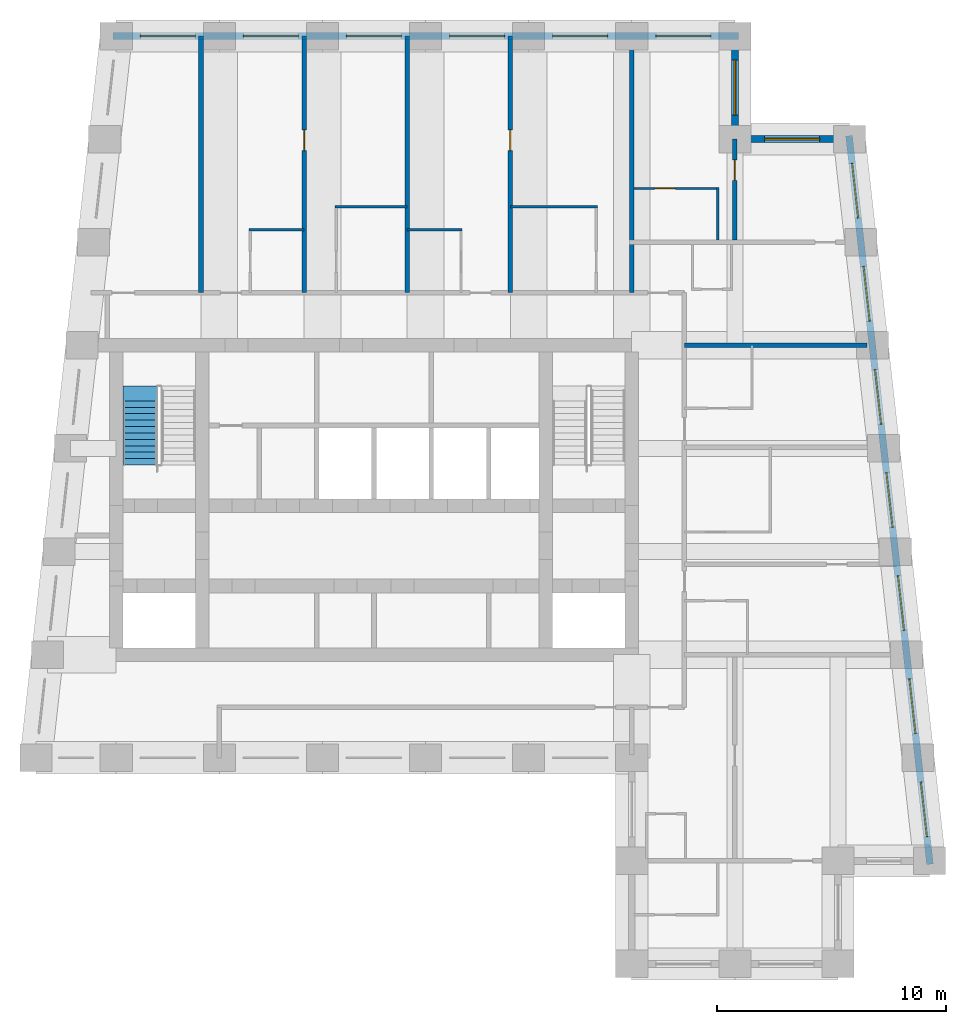
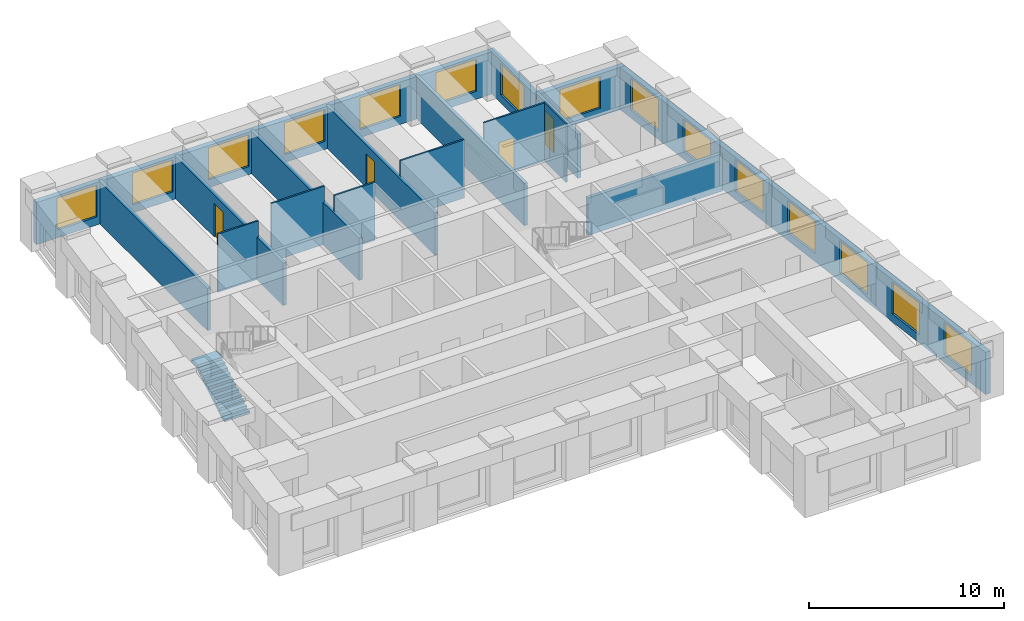
# One storey, part 5 of 7: 17 walls, 15 windows, 4 doors, 1 stair flight, 19 openings, 1 element without a shape of its own.
"""IFC4 building model written with IfcOpenShell, lengths in metres."""

from ifc_helpers import new_model, si_unit, direction, frame, frame_2d, origin, place, context, subcontext, project, spatial, polyline, rectangle, outline, extrude, material, layer, layer_set, type_object, element, fill, aggregate, save


model = new_model("IFC4")

# Units and contexts
model_context = context("Model", 3, precision=1e-05, world=origin(), true_north=direction((0.0, 1.0)))
body_context = subcontext(model_context, "Body", "Model", "MODEL_VIEW")
ifc_project = project(units=[si_unit("LENGTHUNIT", "METRE"), si_unit("AREAUNIT", "SQUARE_METRE"), si_unit("VOLUMEUNIT", "CUBIC_METRE"), si_unit("PLANEANGLEUNIT", "RADIAN"), si_unit("MASSUNIT", "GRAM", prefix="KILO")], contexts=[model_context])

# Site, building, storey
site_placement = place(None, origin())
site = spatial("IfcSite", under=ifc_project, at=site_placement, CompositionType="ELEMENT")
building_placement = place(site_placement, origin())
building = spatial("IfcBuilding", under=site, at=building_placement, Name="Kilele Tower Hotel", CompositionType="ELEMENT")
storey_placement = place(building_placement, frame((0.0, 0.0, 266.300048828125)))
storey = spatial("IfcBuildingStorey", under=building, at=storey_placement, Name="L68", CompositionType="ELEMENT", Elevation=266.300048828125)

# Walls
ifc_material_1 = material(Name="Moisture-resistant board")
ifc_layer_1 = layer(ifc_material_1, 0.10009765625)
ifc_layer_set_1 = layer_set([ifc_layer_1], Name="Moisture-resistant board")
wall_type_1 = type_object("IfcWallType", Name="Bathroom partition 100", PredefinedType="PLUMBINGWALL", material=ifc_layer_set_1)
wall_1_placement = place(storey_placement, frame((19.300048828125, 32.050048828125, 0.0), z_axis=(0.0, 0.0, 1.0), x_axis=(1.0, 0.0, 0.0)))
element("IfcWall", 1, at=wall_1_placement, inside=storey, type_object=wall_type_1, Name="Bathroom partition 100 L68", PredefinedType="PLUMBINGWALL", context=body_context, shape_type="SweptSolid", body=[
    extrude(rectangle(XDim=2.39990234375, YDim=0.10009765625, at=frame_2d((1.199951171875, 0.0))), origin(), (0.0, 0.0, 1.0), 3.64990234375),
])
wall_2_placement = place(storey_placement, frame((23.050048828125, 33.050048828125, 0.0), z_axis=(0.0, 0.0, 1.0), x_axis=(1.0, 0.0, 0.0)))
element("IfcWall", 2, at=wall_2_placement, inside=storey, type_object=wall_type_1, Name="Bathroom partition 100 L68", PredefinedType="PLUMBINGWALL", context=body_context, shape_type="SweptSolid", body=[
    extrude(rectangle(XDim=3.14990234375, YDim=0.10009765625, at=frame_2d((1.574951171875, 0.0))), origin(), (0.0, 0.0, 1.0), 3.64990234375),
])
wall_3_placement = place(storey_placement, frame((26.199951171875, 32.050048828125, 0.0), z_axis=(0.0, 0.0, 1.0), x_axis=(1.0, 0.0, 0.0)))
element("IfcWall", 3, at=wall_3_placement, inside=storey, type_object=wall_type_1, Name="Bathroom partition 100 L68", PredefinedType="PLUMBINGWALL", context=body_context, shape_type="SweptSolid", body=[
    extrude(rectangle(XDim=2.400146484375, YDim=0.10009765625, at=frame_2d((1.2001953125, 0.0))), origin(), (0.0, 0.0, 1.0), 3.64990234375),
])
wall_4_placement = place(storey_placement, frame((30.699951171875, 33.050048828125, 0.0), z_axis=(0.0, 0.0, 1.0), x_axis=(1.0, 0.0, 0.0)))
element("IfcWall", 4, at=wall_4_placement, inside=storey, type_object=wall_type_1, Name="Bathroom partition 100 L68", PredefinedType="PLUMBINGWALL", context=body_context, shape_type="SweptSolid", body=[
    extrude(rectangle(XDim=3.800048828125, YDim=0.10009765625, at=frame_2d((1.89990234375, 0.0))), origin(), (0.0, 0.0, 1.0), 3.64990234375),
])
wall_5_placement = place(storey_placement, frame((39.75, 31.60009765625, 0.0), z_axis=(0.0, 0.0, 1.0), x_axis=(0.0, 1.0, 0.0)))
element("IfcWall", 5, at=wall_5_placement, inside=storey, type_object=wall_type_1, Name="Bathroom partition 100 L68", PredefinedType="PLUMBINGWALL", context=body_context, shape_type="SweptSolid", body=[
    extrude(rectangle(XDim=2.2998046875, YDim=0.10009765625, at=frame_2d((1.14990234375, 0.0))), origin(), (0.0, 0.0, 1.0), 3.64990234375),
])

# Wall, opening, door
wall_6_placement = place(storey_placement, frame((36.10009765625, 33.85009765625, 0.0), z_axis=(0.0, 0.0, 1.0), x_axis=(1.0, 0.0, 0.0)))
wall_6 = element("IfcWall", 6, at=wall_6_placement, inside=storey, type_object=wall_type_1, Name="Bathroom partition 100 L68", PredefinedType="PLUMBINGWALL", context=body_context, shape_type="SweptSolid", body=[
    extrude(rectangle(XDim=3.699951171875, YDim=0.10009765625, at=frame_2d((1.85009765625, 0.0))), origin(), (0.0, 0.0, 1.0), 3.64990234375),
])
opening_1_placement = place(wall_6_placement, frame((0.89990234375, 0.0, 0.0)))
opening_1 = element("IfcOpeningElement", 7, at=opening_1_placement, cuts=wall_6, Name="Opening D2A", PredefinedType="OPENING", context=body_context, shape_type="SweptSolid", body=[
    extrude(rectangle(XDim=0.89990234375, YDim=2.10009765625, at=frame_2d((0.449951171875, 1.050048828125))), frame((0.0, 0.06005859375, 0.0), z_axis=(0.0, -1.0, 0.0), x_axis=(1.0, 0.0, 0.0)), (0.0, 0.0, 1.0), 0.1201171875),
])
ifc_material_2 = material(Name="Timber door leaf in hardwood frame", Category="wood")
door_type_1 = type_object("IfcDoorType", Name="Bathroom door 900", OperationType="SINGLE_SWING_LEFT", PredefinedType="DOOR", material=ifc_material_2)
door_1_placement = place(opening_1_placement, origin())
door_1 = element("IfcDoor", 8, at=door_1_placement, inside=storey, type_object=door_type_1, Name="Bathroom door 6815B", OperationType="SINGLE_SWING_LEFT", OverallHeight=2.10009765625, OverallWidth=0.89990234375, PredefinedType="DOOR", context=body_context, shape_type="SweptSolid", body=[
    extrude(rectangle(XDim=0.89990234375, YDim=2.10009765625, at=frame_2d((0.449951171875, 1.050048828125))), frame((0.0, 0.02490234375, 0.0), z_axis=(0.0, -1.0, 0.0), x_axis=(1.0, 0.0, 0.0)), (0.0, 0.0, 1.0), 0.050048828125),
])
fill(opening_1, door_1)

ifc_material_3 = material(Name="Blockwork, plastered both sides", Category="masonry")
ifc_layer_2 = layer(ifc_material_3, 0.199951171875)
ifc_layer_set_2 = layer_set([ifc_layer_2], Name="Blockwork, plastered both sides")
wall_type_2 = type_object("IfcWallType", Name="Partition wall 200", PredefinedType="PARTITIONING", material=ifc_layer_set_2)
wall_7_placement = place(storey_placement, frame((40.5, 31.60009765625, 0.0), z_axis=(0.0, 0.0, 1.0), x_axis=(0.0, 1.0, 0.0)))
wall_7 = element("IfcWall", 9, at=wall_7_placement, inside=storey, type_object=wall_type_2, Name="Partition wall 200 L68", PredefinedType="PARTITIONING", context=body_context, shape_type="SweptSolid", body=[
    extrude(rectangle(XDim=4.39990234375, YDim=0.199951171875, at=frame_2d((2.199951171875, 0.0))), origin(), (0.0, 0.0, 1.0), 2.75),
])
opening_2_placement = place(wall_7_placement, frame((2.60009765625, 0.0, 0.0)))
opening_2 = element("IfcOpeningElement", 10, at=opening_2_placement, cuts=wall_7, Name="Opening D3", PredefinedType="OPENING", context=body_context, shape_type="SweptSolid", body=[
    extrude(rectangle(XDim=0.89990234375, YDim=2.10009765625, at=frame_2d((0.449951171875, 1.050048828125))), frame((0.0, 0.10986328125, 0.0), z_axis=(0.0, -1.0, 0.0), x_axis=(1.0, 0.0, 0.0)), (0.0, 0.0, 1.0), 0.219970703125),
])
ifc_material_4 = material(Name="Timber door leaf in hardwood frame", Category="wood")
door_type_2 = type_object("IfcDoorType", Name="Suite internal door 900", OperationType="SINGLE_SWING_LEFT", PredefinedType="DOOR", material=ifc_material_4)
door_2_placement = place(opening_2_placement, origin())
door_2 = element("IfcDoor", 11, at=door_2_placement, inside=storey, type_object=door_type_2, Name="Suite door 6816", OperationType="SINGLE_SWING_LEFT", OverallHeight=2.10009765625, OverallWidth=0.89990234375, PredefinedType="DOOR", context=body_context, shape_type="SweptSolid", body=[
    extrude(rectangle(XDim=0.89990234375, YDim=2.10009765625, at=frame_2d((0.449951171875, 1.050048828125))), frame((0.0, 0.02490234375, 0.0), z_axis=(0.0, -1.0, 0.0), x_axis=(1.0, 0.0, 0.0)), (0.0, 0.0, 1.0), 0.050048828125),
])
fill(opening_2, door_2)

# Wall
ifc_material_5 = material(Name="Blockwork, plastered both sides", Category="masonry")
ifc_layer_3 = layer(ifc_material_5, 0.199951171875)
ifc_layer_set_3 = layer_set([ifc_layer_3], Name="Blockwork, plastered both sides")
wall_type_3 = type_object("IfcWallType", Name="Party wall 200", PredefinedType="PARTITIONING", material=ifc_layer_set_3)
wall_8_placement = place(storey_placement, frame((17.199951171875, 29.300048828125, 0.0), z_axis=(0.0, 0.0, 1.0), x_axis=(0.0, 1.0, 0.0)))
element("IfcWall", 12, at=wall_8_placement, inside=storey, type_object=wall_type_3, Name="Party wall 200 L68", PredefinedType="PARTITIONING", context=body_context, shape_type="SweptSolid", body=[
    extrude(rectangle(XDim=11.199951171875, YDim=0.199951171875, at=frame_2d((5.60009765625, 0.0))), origin(), (0.0, 0.0, 1.0), 2.64990234375),
])

# Wall, opening, door
wall_9_placement = place(storey_placement, frame((21.699951171875, 29.300048828125, 0.0), z_axis=(0.0, 0.0, 1.0), x_axis=(0.0, 1.0, 0.0)))
wall_9 = element("IfcWall", 13, at=wall_9_placement, inside=storey, type_object=wall_type_3, Name="Party wall 200 L68", PredefinedType="PARTITIONING", context=body_context, shape_type="SweptSolid", body=[
    extrude(rectangle(XDim=11.199951171875, YDim=0.199951171875, at=frame_2d((5.60009765625, 0.0))), origin(), (0.0, 0.0, 1.0), 2.64990234375),
])
opening_3_placement = place(wall_9_placement, frame((6.199951171875, 0.0, 0.0)))
opening_3 = element("IfcOpeningElement", 14, at=opening_3_placement, cuts=wall_9, Name="Opening D3", PredefinedType="OPENING", context=body_context, shape_type="SweptSolid", body=[
    extrude(rectangle(XDim=0.89990234375, YDim=2.10009765625, at=frame_2d((0.449951171875, 1.050048828125))), frame((0.0, 0.10986328125, 0.0), z_axis=(0.0, -1.0, 0.0), x_axis=(1.0, 0.0, 0.0)), (0.0, 0.0, 1.0), 0.219970703125),
])
door_3_placement = place(opening_3_placement, origin())
door_3 = element("IfcDoor", 15, at=door_3_placement, inside=storey, type_object=door_type_2, Name="Suite door 6808", OperationType="SINGLE_SWING_RIGHT", OverallHeight=2.10009765625, OverallWidth=0.89990234375, PredefinedType="DOOR", context=body_context, shape_type="SweptSolid", body=[
    extrude(rectangle(XDim=0.89990234375, YDim=2.10009765625, at=frame_2d((0.449951171875, 1.050048828125))), frame((0.0, 0.02490234375, 0.0), z_axis=(0.0, -1.0, 0.0), x_axis=(1.0, 0.0, 0.0)), (0.0, 0.0, 1.0), 0.050048828125),
])
fill(opening_3, door_3)

# Wall
wall_10_placement = place(storey_placement, frame((26.199951171875, 29.300048828125, 0.0), z_axis=(0.0, 0.0, 1.0), x_axis=(0.0, 1.0, 0.0)))
element("IfcWall", 16, at=wall_10_placement, inside=storey, type_object=wall_type_3, Name="Party wall 200 L68", PredefinedType="PARTITIONING", context=body_context, shape_type="SweptSolid", body=[
    extrude(rectangle(XDim=11.199951171875, YDim=0.199951171875, at=frame_2d((5.60009765625, 0.0))), origin(), (0.0, 0.0, 1.0), 2.64990234375),
])

# Wall, opening, door
wall_11_placement = place(storey_placement, frame((30.699951171875, 29.300048828125, 0.0), z_axis=(0.0, 0.0, 1.0), x_axis=(0.0, 1.0, 0.0)))
wall_11 = element("IfcWall", 17, at=wall_11_placement, inside=storey, type_object=wall_type_3, Name="Party wall 200 L68", PredefinedType="PARTITIONING", context=body_context, shape_type="SweptSolid", body=[
    extrude(rectangle(XDim=11.199951171875, YDim=0.199951171875, at=frame_2d((5.60009765625, 0.0))), origin(), (0.0, 0.0, 1.0), 2.64990234375),
])
opening_4_placement = place(wall_11_placement, frame((6.199951171875, 0.0, 0.0)))
opening_4 = element("IfcOpeningElement", 18, at=opening_4_placement, cuts=wall_11, Name="Opening D3", PredefinedType="OPENING", context=body_context, shape_type="SweptSolid", body=[
    extrude(rectangle(XDim=0.89990234375, YDim=2.10009765625, at=frame_2d((0.449951171875, 1.050048828125))), frame((0.0, 0.10986328125, 0.0), z_axis=(0.0, -1.0, 0.0), x_axis=(1.0, 0.0, 0.0)), (0.0, 0.0, 1.0), 0.219970703125),
])
door_4_placement = place(opening_4_placement, origin())
door_4 = element("IfcDoor", 19, at=door_4_placement, inside=storey, type_object=door_type_2, Name="Suite door 6810", OperationType="SINGLE_SWING_RIGHT", OverallHeight=2.10009765625, OverallWidth=0.89990234375, PredefinedType="DOOR", context=body_context, shape_type="SweptSolid", body=[
    extrude(rectangle(XDim=0.89990234375, YDim=2.10009765625, at=frame_2d((0.449951171875, 1.050048828125))), frame((0.0, 0.02490234375, 0.0), z_axis=(0.0, -1.0, 0.0), x_axis=(1.0, 0.0, 0.0)), (0.0, 0.0, 1.0), 0.050048828125),
])
fill(opening_4, door_4)

# Walls
wall_12_placement = place(storey_placement, frame((38.300048828125, 27.0, 0.0), z_axis=(0.0, 0.0, 1.0), x_axis=(1.0, 0.0, 0.0)))
element("IfcWall", 20, at=wall_12_placement, inside=storey, type_object=wall_type_3, Name="Party wall 200 L68", PredefinedType="PARTITIONING", context=body_context, shape_type="SweptSolid", body=[
    extrude(rectangle(XDim=7.976806640625, YDim=0.199951171875, at=frame_2d((3.98828125, 0.0))), origin(), (0.0, 0.0, 1.0), 2.349853515625),
])
wall_13_placement = place(storey_placement, frame((36.0, 29.300048828125, 0.0), z_axis=(0.0, 0.0, 1.0), x_axis=(0.0, 1.0, 0.0)))
element("IfcWall", 21, at=wall_13_placement, inside=storey, type_object=wall_type_3, Name="Party wall 200 L68", PredefinedType="PARTITIONING", context=body_context, shape_type="SweptSolid", body=[
    extrude(rectangle(XDim=11.199951171875, YDim=0.199951171875, at=frame_2d((5.60009765625, 0.0))), origin(), (0.0, 0.0, 1.0), 2.64990234375),
])

# Wall, openings, windows
ifc_material_6 = material(Name="Concrete C40/50 precast", Category="concrete")
ifc_layer_4 = layer(ifc_material_6, 0.260009765625, Name="Precast backing", Category="LoadBearing")
ifc_material_7 = material(Name="Reconstituted stone finish", Category="masonry")
ifc_layer_5 = layer(ifc_material_7, 0.0400390625, Name="Face mix", Category="Finish")
ifc_layer_set_4 = layer_set([ifc_layer_4, ifc_layer_5], Name="Precast concrete C40/50, reconstituted stone finish")
wall_type_4 = type_object("IfcWallType", Name="Precast stone facade wall 300", PredefinedType="STANDARD", material=ifc_layer_set_4)
wall_14_placement = place(storey_placement, frame((49.0166015625, 4.350830078125, 0.0), z_axis=(0.0, 0.0, 1.0), x_axis=(-0.110433201132, 0.993883548555, 0.0)))
wall_14 = element("IfcWall", 22, at=wall_14_placement, inside=storey, type_object=wall_type_4, Name="Facade wall L68 edge 6", PredefinedType="STANDARD", context=body_context, shape_type="SweptSolid", body=[
    extrude(rectangle(XDim=31.994140625, YDim=0.300048828125, at=frame_2d((15.9970703125, 0.0))), origin(), (0.0, 0.0, 1.0), 2.64990234375),
])
opening_5_placement = place(wall_14_placement, frame((1.214111328125, 0.0, 0.5)))
opening_5 = element("IfcOpeningElement", 23, at=opening_5_placement, cuts=wall_14, Name="Opening W4", PredefinedType="OPENING", context=body_context, shape_type="SweptSolid", body=[
    extrude(rectangle(XDim=2.39990234375, YDim=2.0, at=frame_2d((1.199951171875, 1.0))), frame((0.0, 0.159912109375, 0.0), z_axis=(0.0, -1.0, 0.0), x_axis=(1.0, 0.0, 0.0)), (0.0, 0.0, 1.0), 0.320068359375),
])
opening_6_placement = place(wall_14_placement, frame((5.741943359375, 0.0, 0.5)))
opening_6 = element("IfcOpeningElement", 24, at=opening_6_placement, cuts=wall_14, Name="Opening W4", PredefinedType="OPENING", context=body_context, shape_type="SweptSolid", body=[
    extrude(rectangle(XDim=2.39990234375, YDim=2.0, at=frame_2d((1.199951171875, 1.0))), frame((0.0, 0.159912109375, 0.0), z_axis=(0.0, -1.0, 0.0), x_axis=(1.0, 0.0, 0.0)), (0.0, 0.0, 1.0), 0.320068359375),
])
opening_7_placement = place(wall_14_placement, frame((10.26904296875, 0.0, 0.5)))
opening_7 = element("IfcOpeningElement", 25, at=opening_7_placement, cuts=wall_14, Name="Opening W4", PredefinedType="OPENING", context=body_context, shape_type="SweptSolid", body=[
    extrude(rectangle(XDim=2.39990234375, YDim=2.0, at=frame_2d((1.199951171875, 1.0))), frame((0.0, 0.159912109375, 0.0), z_axis=(0.0, -1.0, 0.0), x_axis=(1.0, 0.0, 0.0)), (0.0, 0.0, 1.0), 0.320068359375),
])
opening_8_placement = place(wall_14_placement, frame((14.797119140625, 0.0, 0.5)))
opening_8 = element("IfcOpeningElement", 26, at=opening_8_placement, cuts=wall_14, Name="Opening W4", PredefinedType="OPENING", context=body_context, shape_type="SweptSolid", body=[
    extrude(rectangle(XDim=2.39990234375, YDim=2.0, at=frame_2d((1.199951171875, 1.0))), frame((0.0, 0.159912109375, 0.0), z_axis=(0.0, -1.0, 0.0), x_axis=(1.0, 0.0, 0.0)), (0.0, 0.0, 1.0), 0.320068359375),
])
opening_9_placement = place(wall_14_placement, frame((19.324951171875, 0.0, 0.5)))
opening_9 = element("IfcOpeningElement", 27, at=opening_9_placement, cuts=wall_14, Name="Opening W4", PredefinedType="OPENING", context=body_context, shape_type="SweptSolid", body=[
    extrude(rectangle(XDim=2.39990234375, YDim=2.0, at=frame_2d((1.199951171875, 1.0))), frame((0.0, 0.159912109375, 0.0), z_axis=(0.0, -1.0, 0.0), x_axis=(1.0, 0.0, 0.0)), (0.0, 0.0, 1.0), 0.320068359375),
])
opening_10_placement = place(wall_14_placement, frame((23.85205078125, 0.0, 0.5)))
opening_10 = element("IfcOpeningElement", 28, at=opening_10_placement, cuts=wall_14, Name="Opening W4", PredefinedType="OPENING", context=body_context, shape_type="SweptSolid", body=[
    extrude(rectangle(XDim=2.39990234375, YDim=2.0, at=frame_2d((1.199951171875, 1.0))), frame((0.0, 0.159912109375, 0.0), z_axis=(0.0, -1.0, 0.0), x_axis=(1.0, 0.0, 0.0)), (0.0, 0.0, 1.0), 0.320068359375),
])
opening_11_placement = place(wall_14_placement, frame((28.3798828125, 0.0, 0.5)))
opening_11 = element("IfcOpeningElement", 29, at=opening_11_placement, cuts=wall_14, Name="Opening W4", PredefinedType="OPENING", context=body_context, shape_type="SweptSolid", body=[
    extrude(rectangle(XDim=2.39990234375, YDim=2.0, at=frame_2d((1.199951171875, 1.0))), frame((0.0, 0.159912109375, 0.0), z_axis=(0.0, -1.0, 0.0), x_axis=(1.0, 0.0, 0.0)), (0.0, 0.0, 1.0), 0.320068359375),
])
ifc_material_8 = material(Name="Aluminium frame, clear double glazing", Category="aluminium")
window_type = type_object("IfcWindowType", Name="Window W4 2400 x 2000", PartitioningType="SINGLE_PANEL", PredefinedType="WINDOW", material=ifc_material_8)
window_1_placement = place(opening_5_placement, origin())
window_1 = element("IfcWindow", 30, at=window_1_placement, inside=storey, type_object=window_type, Name="Window L68", OverallHeight=2.0, OverallWidth=2.39990234375, PartitioningType="SINGLE_PANEL", PredefinedType="WINDOW", context=body_context, shape_type="SweptSolid", body=[
    extrude(rectangle(XDim=2.39990234375, YDim=2.0, at=frame_2d((1.199951171875, 1.0))), frame((0.0, 0.030029296875, 0.0), z_axis=(0.0, -1.0, 0.0), x_axis=(1.0, 0.0, 0.0)), (0.0, 0.0, 1.0), 0.06005859375),
])
fill(opening_5, window_1)
window_2_placement = place(opening_6_placement, origin())
window_2 = element("IfcWindow", 31, at=window_2_placement, inside=storey, type_object=window_type, Name="Window L68", OverallHeight=2.0, OverallWidth=2.39990234375, PartitioningType="SINGLE_PANEL", PredefinedType="WINDOW", context=body_context, shape_type="SweptSolid", body=[
    extrude(rectangle(XDim=2.39990234375, YDim=2.0, at=frame_2d((1.199951171875, 1.0))), frame((0.0, 0.030029296875, 0.0), z_axis=(0.0, -1.0, 0.0), x_axis=(1.0, 0.0, 0.0)), (0.0, 0.0, 1.0), 0.06005859375),
])
fill(opening_6, window_2)
window_3_placement = place(opening_7_placement, origin())
window_3 = element("IfcWindow", 32, at=window_3_placement, inside=storey, type_object=window_type, Name="Window L68", OverallHeight=2.0, OverallWidth=2.39990234375, PartitioningType="SINGLE_PANEL", PredefinedType="WINDOW", context=body_context, shape_type="SweptSolid", body=[
    extrude(rectangle(XDim=2.39990234375, YDim=2.0, at=frame_2d((1.199951171875, 1.0))), frame((0.0, 0.030029296875, 0.0), z_axis=(0.0, -1.0, 0.0), x_axis=(1.0, 0.0, 0.0)), (0.0, 0.0, 1.0), 0.06005859375),
])
fill(opening_7, window_3)
window_4_placement = place(opening_8_placement, origin())
window_4 = element("IfcWindow", 33, at=window_4_placement, inside=storey, type_object=window_type, Name="Window L68", OverallHeight=2.0, OverallWidth=2.39990234375, PartitioningType="SINGLE_PANEL", PredefinedType="WINDOW", context=body_context, shape_type="SweptSolid", body=[
    extrude(rectangle(XDim=2.39990234375, YDim=2.0, at=frame_2d((1.199951171875, 1.0))), frame((0.0, 0.030029296875, 0.0), z_axis=(0.0, -1.0, 0.0), x_axis=(1.0, 0.0, 0.0)), (0.0, 0.0, 1.0), 0.06005859375),
])
fill(opening_8, window_4)
window_5_placement = place(opening_9_placement, origin())
window_5 = element("IfcWindow", 34, at=window_5_placement, inside=storey, type_object=window_type, Name="Window L68", OverallHeight=2.0, OverallWidth=2.39990234375, PartitioningType="SINGLE_PANEL", PredefinedType="WINDOW", context=body_context, shape_type="SweptSolid", body=[
    extrude(rectangle(XDim=2.39990234375, YDim=2.0, at=frame_2d((1.199951171875, 1.0))), frame((0.0, 0.030029296875, 0.0), z_axis=(0.0, -1.0, 0.0), x_axis=(1.0, 0.0, 0.0)), (0.0, 0.0, 1.0), 0.06005859375),
])
fill(opening_9, window_5)
window_6_placement = place(opening_10_placement, origin())
window_6 = element("IfcWindow", 35, at=window_6_placement, inside=storey, type_object=window_type, Name="Window L68", OverallHeight=2.0, OverallWidth=2.39990234375, PartitioningType="SINGLE_PANEL", PredefinedType="WINDOW", context=body_context, shape_type="SweptSolid", body=[
    extrude(rectangle(XDim=2.39990234375, YDim=2.0, at=frame_2d((1.199951171875, 1.0))), frame((0.0, 0.030029296875, 0.0), z_axis=(0.0, -1.0, 0.0), x_axis=(1.0, 0.0, 0.0)), (0.0, 0.0, 1.0), 0.06005859375),
])
fill(opening_10, window_6)
window_7_placement = place(opening_11_placement, origin())
window_7 = element("IfcWindow", 36, at=window_7_placement, inside=storey, type_object=window_type, Name="Window L68", OverallHeight=2.0, OverallWidth=2.39990234375, PartitioningType="SINGLE_PANEL", PredefinedType="WINDOW", context=body_context, shape_type="SweptSolid", body=[
    extrude(rectangle(XDim=2.39990234375, YDim=2.0, at=frame_2d((1.199951171875, 1.0))), frame((0.0, 0.030029296875, 0.0), z_axis=(0.0, -1.0, 0.0), x_axis=(1.0, 0.0, 0.0)), (0.0, 0.0, 1.0), 0.06005859375),
])
fill(opening_11, window_7)

# Wall, opening, window
wall_15_placement = place(storey_placement, frame((45.64990234375, 36.0, 0.0), z_axis=(0.0, 0.0, 1.0), x_axis=(-1.0, 0.0, 0.0)))
wall_15 = element("IfcWall", 37, at=wall_15_placement, inside=storey, type_object=wall_type_4, Name="Facade wall L68 edge 7", PredefinedType="STANDARD", context=body_context, shape_type="SweptSolid", body=[
    extrude(rectangle(XDim=5.2998046875, YDim=0.300048828125, at=frame_2d((2.64990234375, 0.0))), origin(), (0.0, 0.0, 1.0), 2.64990234375),
])
opening_12_placement = place(wall_15_placement, frame((1.449951171875, 0.0, 0.5)))
opening_12 = element("IfcOpeningElement", 38, at=opening_12_placement, cuts=wall_15, Name="Opening W4", PredefinedType="OPENING", context=body_context, shape_type="SweptSolid", body=[
    extrude(rectangle(XDim=2.39990234375, YDim=2.0, at=frame_2d((1.199951171875, 1.0))), frame((0.0, 0.159912109375, 0.0), z_axis=(0.0, -1.0, 0.0), x_axis=(1.0, 0.0, 0.0)), (0.0, 0.0, 1.0), 0.320068359375),
])
window_8_placement = place(opening_12_placement, origin())
window_8 = element("IfcWindow", 39, at=window_8_placement, inside=storey, type_object=window_type, Name="Window L68", OverallHeight=2.0, OverallWidth=2.39990234375, PartitioningType="SINGLE_PANEL", PredefinedType="WINDOW", context=body_context, shape_type="SweptSolid", body=[
    extrude(rectangle(XDim=2.39990234375, YDim=2.0, at=frame_2d((1.199951171875, 1.0))), frame((0.0, 0.030029296875, 0.0), z_axis=(0.0, -1.0, 0.0), x_axis=(1.0, 0.0, 0.0)), (0.0, 0.0, 1.0), 0.06005859375),
])
fill(opening_12, window_8)

wall_16_placement = place(storey_placement, frame((40.5, 35.85009765625, 0.0), z_axis=(0.0, 0.0, 1.0), x_axis=(0.0, 1.0, 0.0)))
wall_16 = element("IfcWall", 40, at=wall_16_placement, inside=storey, type_object=wall_type_4, Name="Facade wall L68 edge 8", PredefinedType="STANDARD", context=body_context, shape_type="SweptSolid", body=[
    extrude(rectangle(XDim=4.7998046875, YDim=0.300048828125, at=frame_2d((2.39990234375, 0.0))), origin(), (0.0, 0.0, 1.0), 2.64990234375),
])
opening_13_placement = place(wall_16_placement, frame((1.199951171875, 0.0, 0.5)))
opening_13 = element("IfcOpeningElement", 41, at=opening_13_placement, cuts=wall_16, Name="Opening W4", PredefinedType="OPENING", context=body_context, shape_type="SweptSolid", body=[
    extrude(rectangle(XDim=2.39990234375, YDim=2.0, at=frame_2d((1.199951171875, 1.0))), frame((0.0, 0.159912109375, 0.0), z_axis=(0.0, -1.0, 0.0), x_axis=(1.0, 0.0, 0.0)), (0.0, 0.0, 1.0), 0.320068359375),
])
window_9_placement = place(opening_13_placement, origin())
window_9 = element("IfcWindow", 42, at=window_9_placement, inside=storey, type_object=window_type, Name="Window L68", OverallHeight=2.0, OverallWidth=2.39990234375, PartitioningType="SINGLE_PANEL", PredefinedType="WINDOW", context=body_context, shape_type="SweptSolid", body=[
    extrude(rectangle(XDim=2.39990234375, YDim=2.0, at=frame_2d((1.199951171875, 1.0))), frame((0.0, 0.030029296875, 0.0), z_axis=(0.0, -1.0, 0.0), x_axis=(1.0, 0.0, 0.0)), (0.0, 0.0, 1.0), 0.06005859375),
])
fill(opening_13, window_9)

# Wall, openings, windows
wall_17_placement = place(storey_placement, frame((40.64990234375, 40.5, 0.0), z_axis=(0.0, 0.0, 1.0), x_axis=(-1.0, 0.0, 0.0)))
wall_17 = element("IfcWall", 43, at=wall_17_placement, inside=storey, type_object=wall_type_4, Name="Facade wall L68 edge 9", PredefinedType="STANDARD", context=body_context, shape_type="SweptSolid", body=[
    extrude(rectangle(XDim=27.2998046875, YDim=0.300048828125, at=frame_2d((13.64990234375, 0.0))), origin(), (0.0, 0.0, 1.0), 2.64990234375),
])
opening_14_placement = place(wall_17_placement, frame((1.199951171875, 0.0, 0.5)))
opening_14 = element("IfcOpeningElement", 44, at=opening_14_placement, cuts=wall_17, Name="Opening W4", PredefinedType="OPENING", context=body_context, shape_type="SweptSolid", body=[
    extrude(rectangle(XDim=2.39990234375, YDim=2.0, at=frame_2d((1.199951171875, 1.0))), frame((0.0, 0.159912109375, 0.0), z_axis=(0.0, -1.0, 0.0), x_axis=(1.0, 0.0, 0.0)), (0.0, 0.0, 1.0), 0.320068359375),
])
opening_15_placement = place(wall_17_placement, frame((5.699951171875, 0.0, 0.5)))
opening_15 = element("IfcOpeningElement", 45, at=opening_15_placement, cuts=wall_17, Name="Opening W4", PredefinedType="OPENING", context=body_context, shape_type="SweptSolid", body=[
    extrude(rectangle(XDim=2.39990234375, YDim=2.0, at=frame_2d((1.199951171875, 1.0))), frame((0.0, 0.159912109375, 0.0), z_axis=(0.0, -1.0, 0.0), x_axis=(1.0, 0.0, 0.0)), (0.0, 0.0, 1.0), 0.320068359375),
])
opening_16_placement = place(wall_17_placement, frame((10.199951171875, 0.0, 0.5)))
opening_16 = element("IfcOpeningElement", 46, at=opening_16_placement, cuts=wall_17, Name="Opening W4", PredefinedType="OPENING", context=body_context, shape_type="SweptSolid", body=[
    extrude(rectangle(XDim=2.39990234375, YDim=2.0, at=frame_2d((1.199951171875, 1.0))), frame((0.0, 0.159912109375, 0.0), z_axis=(0.0, -1.0, 0.0), x_axis=(1.0, 0.0, 0.0)), (0.0, 0.0, 1.0), 0.320068359375),
])
opening_17_placement = place(wall_17_placement, frame((14.699951171875, 0.0, 0.5)))
opening_17 = element("IfcOpeningElement", 47, at=opening_17_placement, cuts=wall_17, Name="Opening W4", PredefinedType="OPENING", context=body_context, shape_type="SweptSolid", body=[
    extrude(rectangle(XDim=2.39990234375, YDim=2.0, at=frame_2d((1.199951171875, 1.0))), frame((0.0, 0.159912109375, 0.0), z_axis=(0.0, -1.0, 0.0), x_axis=(1.0, 0.0, 0.0)), (0.0, 0.0, 1.0), 0.320068359375),
])
opening_18_placement = place(wall_17_placement, frame((19.199951171875, 0.0, 0.5)))
opening_18 = element("IfcOpeningElement", 48, at=opening_18_placement, cuts=wall_17, Name="Opening W4", PredefinedType="OPENING", context=body_context, shape_type="SweptSolid", body=[
    extrude(rectangle(XDim=2.39990234375, YDim=2.0, at=frame_2d((1.199951171875, 1.0))), frame((0.0, 0.159912109375, 0.0), z_axis=(0.0, -1.0, 0.0), x_axis=(1.0, 0.0, 0.0)), (0.0, 0.0, 1.0), 0.320068359375),
])
opening_19_placement = place(wall_17_placement, frame((23.699951171875, 0.0, 0.5)))
opening_19 = element("IfcOpeningElement", 49, at=opening_19_placement, cuts=wall_17, Name="Opening W4", PredefinedType="OPENING", context=body_context, shape_type="SweptSolid", body=[
    extrude(rectangle(XDim=2.39990234375, YDim=2.0, at=frame_2d((1.199951171875, 1.0))), frame((0.0, 0.159912109375, 0.0), z_axis=(0.0, -1.0, 0.0), x_axis=(1.0, 0.0, 0.0)), (0.0, 0.0, 1.0), 0.320068359375),
])
window_10_placement = place(opening_14_placement, origin())
window_10 = element("IfcWindow", 50, at=window_10_placement, inside=storey, type_object=window_type, Name="Window L68", OverallHeight=2.0, OverallWidth=2.39990234375, PartitioningType="SINGLE_PANEL", PredefinedType="WINDOW", context=body_context, shape_type="SweptSolid", body=[
    extrude(rectangle(XDim=2.39990234375, YDim=2.0, at=frame_2d((1.199951171875, 1.0))), frame((0.0, 0.030029296875, 0.0), z_axis=(0.0, -1.0, 0.0), x_axis=(1.0, 0.0, 0.0)), (0.0, 0.0, 1.0), 0.06005859375),
])
fill(opening_14, window_10)
window_11_placement = place(opening_15_placement, origin())
window_11 = element("IfcWindow", 51, at=window_11_placement, inside=storey, type_object=window_type, Name="Window L68", OverallHeight=2.0, OverallWidth=2.39990234375, PartitioningType="SINGLE_PANEL", PredefinedType="WINDOW", context=body_context, shape_type="SweptSolid", body=[
    extrude(rectangle(XDim=2.39990234375, YDim=2.0, at=frame_2d((1.199951171875, 1.0))), frame((0.0, 0.030029296875, 0.0), z_axis=(0.0, -1.0, 0.0), x_axis=(1.0, 0.0, 0.0)), (0.0, 0.0, 1.0), 0.06005859375),
])
fill(opening_15, window_11)
window_12_placement = place(opening_16_placement, origin())
window_12 = element("IfcWindow", 52, at=window_12_placement, inside=storey, type_object=window_type, Name="Window L68", OverallHeight=2.0, OverallWidth=2.39990234375, PartitioningType="SINGLE_PANEL", PredefinedType="WINDOW", context=body_context, shape_type="SweptSolid", body=[
    extrude(rectangle(XDim=2.39990234375, YDim=2.0, at=frame_2d((1.199951171875, 1.0))), frame((0.0, 0.030029296875, 0.0), z_axis=(0.0, -1.0, 0.0), x_axis=(1.0, 0.0, 0.0)), (0.0, 0.0, 1.0), 0.06005859375),
])
fill(opening_16, window_12)
window_13_placement = place(opening_17_placement, origin())
window_13 = element("IfcWindow", 53, at=window_13_placement, inside=storey, type_object=window_type, Name="Window L68", OverallHeight=2.0, OverallWidth=2.39990234375, PartitioningType="SINGLE_PANEL", PredefinedType="WINDOW", context=body_context, shape_type="SweptSolid", body=[
    extrude(rectangle(XDim=2.39990234375, YDim=2.0, at=frame_2d((1.199951171875, 1.0))), frame((0.0, 0.030029296875, 0.0), z_axis=(0.0, -1.0, 0.0), x_axis=(1.0, 0.0, 0.0)), (0.0, 0.0, 1.0), 0.06005859375),
])
fill(opening_17, window_13)
window_14_placement = place(opening_18_placement, origin())
window_14 = element("IfcWindow", 54, at=window_14_placement, inside=storey, type_object=window_type, Name="Window L68", OverallHeight=2.0, OverallWidth=2.39990234375, PartitioningType="SINGLE_PANEL", PredefinedType="WINDOW", context=body_context, shape_type="SweptSolid", body=[
    extrude(rectangle(XDim=2.39990234375, YDim=2.0, at=frame_2d((1.199951171875, 1.0))), frame((0.0, 0.030029296875, 0.0), z_axis=(0.0, -1.0, 0.0), x_axis=(1.0, 0.0, 0.0)), (0.0, 0.0, 1.0), 0.06005859375),
])
fill(opening_18, window_14)
window_15_placement = place(opening_19_placement, origin())
window_15 = element("IfcWindow", 55, at=window_15_placement, inside=storey, type_object=window_type, Name="Window L68", OverallHeight=2.0, OverallWidth=2.39990234375, PartitioningType="SINGLE_PANEL", PredefinedType="WINDOW", context=body_context, shape_type="SweptSolid", body=[
    extrude(rectangle(XDim=2.39990234375, YDim=2.0, at=frame_2d((1.199951171875, 1.0))), frame((0.0, 0.030029296875, 0.0), z_axis=(0.0, -1.0, 0.0), x_axis=(1.0, 0.0, 0.0)), (0.0, 0.0, 1.0), 0.06005859375),
])
fill(opening_19, window_15)

# Stair, stair flight
ifc_material_9 = material(Name="Precast concrete C40/50", Category="concrete")
stair_type = type_object("IfcStairType", Name="Stair 1475 x 3900", PredefinedType="HALF_TURN_STAIR", material=ifc_material_9)
stair_placement = place(storey_placement, origin())
stair = element("IfcStair", 56, at=stair_placement, inside=storey, type_object=stair_type, Name="Stair 1 L68", PredefinedType="HALF_TURN_STAIR")
ifc_material_10 = material(Name="Precast concrete C40/50", Category="concrete")
stair_flight_type = type_object("IfcStairFlightType", Name="Flight 1475 riser 169.6", PredefinedType="STRAIGHT", material=ifc_material_10)
stair_flight_placement = place(storey_placement, frame((14.53759765625, 21.77490234375, 0.0), z_axis=(0.0, 0.0, 1.0), x_axis=(0.0, 1.0, 0.0)))
stair_flight = element("IfcStairFlight", 57, at=stair_flight_placement, type_object=stair_flight_type, Name="ST1 flight 1", NumberOfRisers=11, NumberOfTreads=10, PredefinedType="STRAIGHT", RiserHeight=0.169565217, TreadLength=0.28, context=body_context, shape_type="SweptSolid", body=[
    extrude(outline(polyline([(0.0, 0.0), (0.0, 0.169677734375), (0.280029296875, 0.169677734375), (0.280029296875, 0.339111328125), (0.56005859375, 0.339111328125), (0.56005859375, 0.5087890625), (0.840087890625, 0.5087890625), (0.840087890625, 0.67822265625), (1.1201171875, 0.67822265625), (1.1201171875, 0.847900390625), (1.39990234375, 0.847900390625), (1.39990234375, 1.017333984375), (1.679931640625, 1.017333984375), (1.679931640625, 1.18701171875), (1.9599609375, 1.18701171875), (1.9599609375, 1.3564453125), (2.239990234375, 1.3564453125), (2.239990234375, 1.526123046875), (2.52001953125, 1.526123046875), (2.52001953125, 1.695556640625), (2.800048828125, 1.695556640625), (2.800048828125, 1.865234375), (2.800048828125, 1.5205078125), (0.289306640625, 0.0), (0.0, 0.0)])), frame((0.0, 0.737548828125, 0.0), z_axis=(0.0, -1.0, 0.0), x_axis=(1.0, 0.0, 0.0)), (0.0, 0.0, 1.0), 1.47509765625),
    extrude(outline(polyline([(2.800048828125, 0.737548828125), (2.800048828125, -0.7373046875), (3.4501953125, -0.7373046875), (3.4501953125, 0.737548828125), (2.800048828125, 0.737548828125)])), frame((0.0, 0.0, 1.6650390625)), (0.0, 0.0, 1.0), 0.199951171875),
])
aggregate(stair, [stair_flight])

save(model, "model.ifc")
